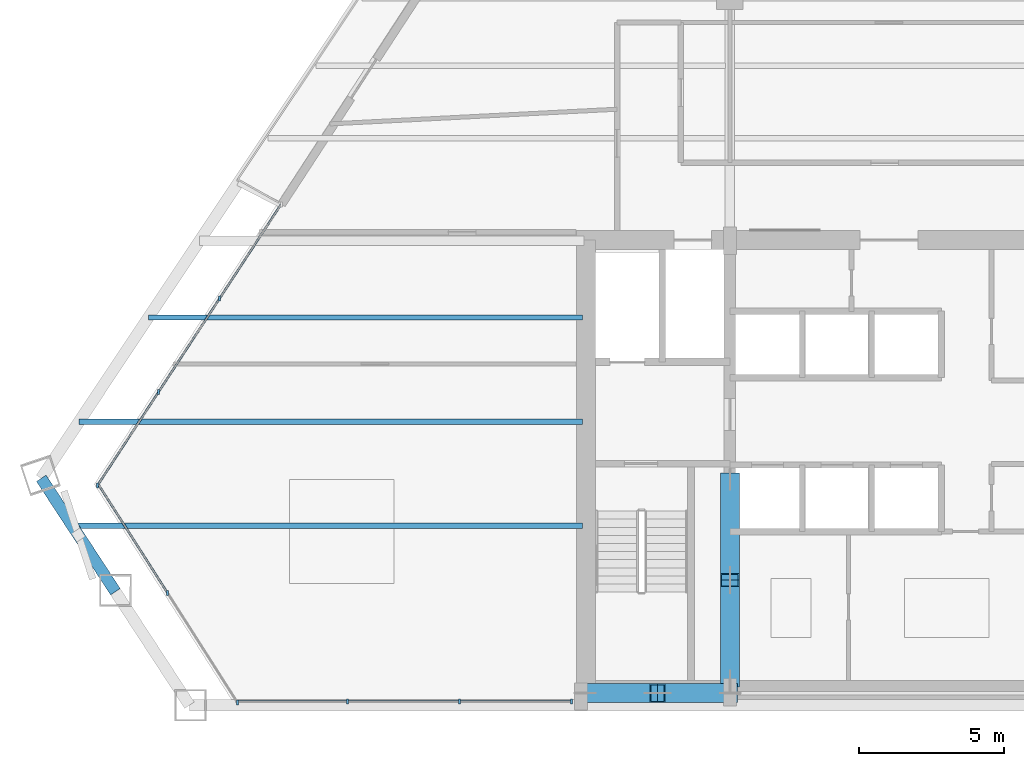
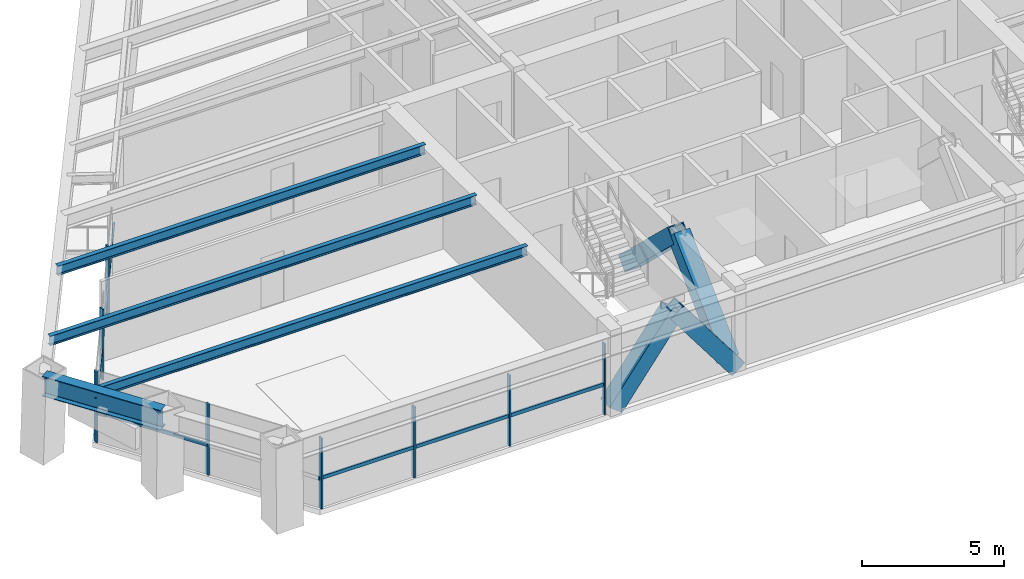
# One storey, part 2 of 15: 19 members, 4 beams, 3 elements without a shape of their own.
"""IFC4 building model written with IfcOpenShell, lengths in metres."""

from ifc_helpers import new_model, si_unit, direction, frame, origin, origin_2d, place, context, subcontext, project, spatial, rectangle, hollow_rectangle, i_section, extrude, source, transform, mapped, material, material_profile, profile_set, type_object, element, aggregate, save


model = new_model("IFC4")

# Units and contexts
model_context = context("Model", 3, precision=1e-05, world=origin(), true_north=direction((0.0, 1.0)))
body_context = subcontext(model_context, "Body", "Model", "MODEL_VIEW")
ifc_project = project(units=[si_unit("LENGTHUNIT", "METRE"), si_unit("AREAUNIT", "SQUARE_METRE"), si_unit("VOLUMEUNIT", "CUBIC_METRE"), si_unit("PLANEANGLEUNIT", "RADIAN"), si_unit("MASSUNIT", "GRAM", prefix="KILO")], contexts=[model_context])

# Site, building, storey
site_placement = place(None, origin())
site = spatial("IfcSite", under=ifc_project, at=site_placement, CompositionType="ELEMENT")
building_placement = place(site_placement, origin())
building = spatial("IfcBuilding", under=site, at=building_placement, Name="Varnakhor Terracotta Tower", CompositionType="ELEMENT")
storey_placement = place(building_placement, frame((0.0, 0.0, 136.699951171875)))
storey = spatial("IfcBuildingStorey", under=building, at=storey_placement, Name="L34", CompositionType="ELEMENT", Elevation=136.699951171875)

# Members
ifc_material_1 = material(Name="Steel S460", Category="steel")
ifc_material_profile_1 = material_profile(ifc_material_1, hollow_rectangle(XDim=0.64990234375, YDim=0.64990234375, WallThickness=0.0400390625, at=origin_2d()), Name="HSS650X650X40")
ifc_profile_set_1 = profile_set([ifc_material_profile_1], Name="Steel S460")
member_type_1 = type_object("IfcMemberType", Name="MBR-MEGA-650", PredefinedType="BRACE", material=ifc_profile_set_1)
shared_shape_1 = source(origin(), body_context, "Body", "SweptSolid", [
    extrude(hollow_rectangle(XDim=0.64990234375, YDim=0.64990234375, WallThickness=0.0400390625, at=origin_2d()), origin(), (0.0, 0.0, 1.0), 4.805908203125),
])
member_1_placement = place(storey_placement, frame((-5.5, 0.85009765625, 0.0), z_axis=(0.0, 0.723026776832, 0.69082000549), x_axis=(-1.0, 0.0, 0.0)))
element("IfcMember", 1, at=member_1_placement, inside=storey, type_object=member_type_1, Name="L34 Core Coupled Brace CWWA", PredefinedType="BRACE", context=body_context, shape_type="MappedRepresentation", body=[
    mapped(shared_shape_1, transform((0.0, 0.0, 0.0), scale=1.0)),
])
shared_shape_2 = source(origin(), body_context, "Body", "SweptSolid", [
    extrude(hollow_rectangle(XDim=0.64990234375, YDim=0.64990234375, WallThickness=0.0400390625, at=origin_2d()), origin(), (0.0, 0.0, 1.0), 4.156005859375),
])
for number, where, z_axis, x_axis, name in (
    (2, (-10.5, 0.419921875, 0.0), (0.601530923869, 0.0, 0.798849515009), (0.0, 1.0, 0.0), "L34 Core Coupled Brace CSWA"),
    (3, (-5.5, 0.419921875, 0.0), (-0.601530923869, 0.0, 0.798849515009), (0.0, -1.0, 0.0), "L34 Core Coupled Brace CSWB"),
):
    element("IfcMember", number, at=place(storey_placement, frame(where, z_axis=z_axis, x_axis=x_axis)), inside=storey, type_object=member_type_1, Name=name, PredefinedType="BRACE", context=body_context, shape_type="MappedRepresentation", body=[
        mapped(shared_shape_2, transform((0.0, 0.0, 0.0), scale=1.0)),
    ])
shared_shape_3 = source(origin(), body_context, "Body", "SweptSolid", [
    extrude(hollow_rectangle(XDim=0.64990234375, YDim=0.64990234375, WallThickness=0.0400390625, at=origin_2d()), origin(), (0.0, 0.0, 1.0), 4.80615234375),
])
member_2_placement = place(storey_placement, frame((-5.5, 7.800048828125, 0.0), z_axis=(0.0, -0.723051018573, 0.690794632681), x_axis=(1.0, 0.0, 0.0)))
element("IfcMember", 4, at=member_2_placement, inside=storey, type_object=member_type_1, Name="L34 Core Coupled Brace CWWB", PredefinedType="BRACE", context=body_context, shape_type="MappedRepresentation", body=[
    mapped(shared_shape_3, transform((0.0, 0.0, 0.0), scale=1.0)),
])

# Beams
ifc_material_2 = material(Name="Steel S355", Category="steel")
ifc_material_profile_2 = material_profile(ifc_material_2, i_section(OverallWidth=0.39990234375, OverallDepth=0.85498046875, WebThickness=0.01806640625, FlangeThickness=0.029052734375, FilletRadius=0.01806640625, at=origin_2d()), Name="W33X201")
ifc_profile_set_2 = profile_set([ifc_material_profile_2], Name="Steel S355")
beam_type_1 = type_object("IfcBeamType", Name="BM-W33X201", PredefinedType="BEAM", material=ifc_profile_set_2)
shared_shape_4 = source(origin(), body_context, "Body", "SweptSolid", [
    extrude(i_section(OverallWidth=0.39990234375, OverallDepth=0.85498046875, WebThickness=0.01806640625, FlangeThickness=0.029052734375, FilletRadius=0.01806640625, at=origin_2d()), origin(), (0.0, 0.0, 1.0), 4.683349609375),
])
beam_1_placement = place(storey_placement, frame((-29.302734375, 7.84228515625, 3.04248046875), z_axis=(0.546795613184, -0.837266121017, 0.0), x_axis=(0.837266121017, 0.546795613184, 0.0)))
element("IfcBeam", 5, at=beam_1_placement, inside=storey, type_object=beam_type_1, Name="L34 Perimeter Spandrel 7", PredefinedType="BEAM", context=body_context, shape_type="MappedRepresentation", body=[
    mapped(shared_shape_4, transform((0.0, 0.0, 0.0), scale=1.0)),
])
ifc_material_profile_3 = material_profile(ifc_material_2, i_section(OverallWidth=0.179931640625, OverallDepth=0.4130859375, WebThickness=0.009765625, FlangeThickness=0.01611328125, FilletRadius=0.01806640625, at=origin_2d()), Name="W16X50")
ifc_profile_set_3 = profile_set([ifc_material_profile_3], Name="Steel S355")
beam_type_2 = type_object("IfcBeamType", Name="JST-W16X50", PredefinedType="JOIST", material=ifc_profile_set_3)
shared_shape_5 = source(origin(), body_context, "Body", "SweptSolid", [
    extrude(i_section(OverallWidth=0.179931640625, OverallDepth=0.4130859375, WebThickness=0.009765625, FlangeThickness=0.01611328125, FilletRadius=0.01806640625, at=origin_2d()), origin(), (0.0, 0.0, 1.0), 17.630126953125),
])
beam_2_placement = place(storey_placement, frame((-28.230224609375, 6.199951171875, 3.263427734375), z_axis=(1.0, 0.0, 0.0), x_axis=(0.0, 1.0, 0.0)))
element("IfcBeam", 6, at=beam_2_placement, inside=storey, type_object=beam_type_2, Name="L34 Floor Joist W1", PredefinedType="JOIST", context=body_context, shape_type="MappedRepresentation", body=[
    mapped(shared_shape_5, transform((0.0, 0.0, 0.0), scale=1.0)),
])
shared_shape_6 = source(origin(), body_context, "Body", "SweptSolid", [
    extrude(i_section(OverallWidth=0.179931640625, OverallDepth=0.4130859375, WebThickness=0.009765625, FlangeThickness=0.01611328125, FilletRadius=0.01806640625, at=origin_2d()), origin(), (0.0, 0.0, 1.0), 17.39892578125),
])
beam_3_placement = place(storey_placement, frame((-27.9990234375, 9.800048828125, 3.263427734375), z_axis=(1.0, 0.0, 0.0), x_axis=(0.0, 1.0, 0.0)))
element("IfcBeam", 7, at=beam_3_placement, inside=storey, type_object=beam_type_2, Name="L34 Floor Joist W2", PredefinedType="JOIST", context=body_context, shape_type="MappedRepresentation", body=[
    mapped(shared_shape_6, transform((0.0, 0.0, 0.0), scale=1.0)),
])
shared_shape_7 = source(origin(), body_context, "Body", "SweptSolid", [
    extrude(i_section(OverallWidth=0.179931640625, OverallDepth=0.4130859375, WebThickness=0.009765625, FlangeThickness=0.01611328125, FilletRadius=0.01806640625, at=origin_2d()), origin(), (0.0, 0.0, 1.0), 15.00146484375),
])
beam_4_placement = place(storey_placement, frame((-25.6015625, 13.39990234375, 3.263427734375), z_axis=(1.0, 0.0, 0.0), x_axis=(0.0, 1.0, 0.0)))
element("IfcBeam", 8, at=beam_4_placement, inside=storey, type_object=beam_type_2, Name="L34 Floor Joist W3", PredefinedType="JOIST", context=body_context, shape_type="MappedRepresentation", body=[
    mapped(shared_shape_7, transform((0.0, 0.0, 0.0), scale=1.0)),
])

# Curtain wall, members
ifc_material_3 = material(Name="Anodised Aluminium Curtain Wall System", Category="aluminium")
curtain_wall_type = type_object("IfcCurtainWallType", Name="CW-SYS-MID-OFFICE", PredefinedType="NOTDEFINED", material=ifc_material_3)
curtain_wall_1_placement = place(storey_placement, origin())
curtain_wall_1 = element("IfcCurtainWall", 9, at=curtain_wall_1_placement, inside=storey, type_object=curtain_wall_type, Name="L34 W Facet Curtain Wall 1", PredefinedType="NOTDEFINED")
ifc_material_4 = material(Name="Anodised Aluminium 6063-T6", Category="aluminium")
ifc_material_profile_4 = material_profile(ifc_material_4, rectangle(XDim=0.070068359375, YDim=0.175048828125, at=origin_2d()), Name="ALU MULLION 70x175")
ifc_profile_set_4 = profile_set([ifc_material_profile_4], Name="Anodised Aluminium 6063-T6")
member_type_2 = type_object("IfcMemberType", Name="CWM-03", PredefinedType="MULLION", material=ifc_profile_set_4)
shared_shape_8 = source(origin(), body_context, "Body", "SweptSolid", [
    extrude(rectangle(XDim=0.070068359375, YDim=0.175048828125, at=origin_2d()), origin(), (0.0, 0.0, 1.0), 3.050048828125),
])
member_3_placement = place(storey_placement, frame((-27.360107421875, 7.59521484375, 0.0), z_axis=(0.0, 0.0, 1.0), x_axis=(1.0, 0.0, 0.0)))
member_3 = element("IfcMember", 10, at=member_3_placement, type_object=member_type_2, Name="L34 W Facet Curtain Wall 1 Mullion 1", PredefinedType="MULLION", context=body_context, shape_type="MappedRepresentation", body=[
    mapped(shared_shape_8, transform((0.0, 0.0, 0.0), scale=1.0)),
])
member_4_placement = place(storey_placement, frame((-25.24951171875, 10.827880859375, 0.0), z_axis=(0.0, 0.0, 1.0), x_axis=(1.0, 0.0, 0.0)))
member_4 = element("IfcMember", 11, at=member_4_placement, type_object=member_type_2, Name="L34 W Facet Curtain Wall 1 Mullion 2", PredefinedType="MULLION", context=body_context, shape_type="MappedRepresentation", body=[
    mapped(shared_shape_8, transform((0.0, 0.0, 0.0), scale=1.0)),
])
member_5_placement = place(storey_placement, frame((-23.138916015625, 14.060791015625, 0.0), z_axis=(0.0, 0.0, 1.0), x_axis=(1.0, 0.0, 0.0)))
member_5 = element("IfcMember", 12, at=member_5_placement, type_object=member_type_2, Name="L34 W Facet Curtain Wall 1 Mullion 3", PredefinedType="MULLION", context=body_context, shape_type="MappedRepresentation", body=[
    mapped(shared_shape_8, transform((0.0, 0.0, 0.0), scale=1.0)),
])

curtain_wall_2_placement = place(storey_placement, origin())
curtain_wall_2 = element("IfcCurtainWall", 13, at=curtain_wall_2_placement, inside=storey, type_object=curtain_wall_type, Name="L34 South Wing Curtain Wall SSW", PredefinedType="NOTDEFINED")
member_6_placement = place(storey_placement, frame((-10.969970703125, 0.1201171875, 0.0), z_axis=(0.0, 0.0, 1.0), x_axis=(1.0, 0.0, 0.0)))
member_6 = element("IfcMember", 14, at=member_6_placement, type_object=member_type_2, Name="L34 South Wing Curtain Wall SSW Mullion 1", PredefinedType="MULLION", context=body_context, shape_type="MappedRepresentation", body=[
    mapped(shared_shape_8, transform((0.0, 0.0, 0.0), scale=1.0)),
])
member_7_placement = place(storey_placement, frame((-14.845947265625, 0.1201171875, 0.0), z_axis=(0.0, 0.0, 1.0), x_axis=(1.0, 0.0, 0.0)))
member_7 = element("IfcMember", 15, at=member_7_placement, type_object=member_type_2, Name="L34 South Wing Curtain Wall SSW Mullion 2", PredefinedType="MULLION", context=body_context, shape_type="MappedRepresentation", body=[
    mapped(shared_shape_8, transform((0.0, 0.0, 0.0), scale=1.0)),
])
member_8_placement = place(storey_placement, frame((-18.721923828125, 0.1201171875, 0.0), z_axis=(0.0, 0.0, 1.0), x_axis=(1.0, 0.0, 0.0)))
member_8 = element("IfcMember", 16, at=member_8_placement, type_object=member_type_2, Name="L34 South Wing Curtain Wall SSW Mullion 3", PredefinedType="MULLION", context=body_context, shape_type="MappedRepresentation", body=[
    mapped(shared_shape_8, transform((0.0, 0.0, 0.0), scale=1.0)),
])

curtain_wall_3_placement = place(storey_placement, origin())
curtain_wall_3 = element("IfcCurtainWall", 17, at=curtain_wall_3_placement, inside=storey, type_object=curtain_wall_type, Name="L34 Facet Curtain Wall 6", PredefinedType="NOTDEFINED")
member_9_placement = place(storey_placement, frame((-22.52294921875, 0.08984375, 0.0), z_axis=(0.0, 0.0, 1.0), x_axis=(1.0, 0.0, 0.0)))
member_9 = element("IfcMember", 18, at=member_9_placement, type_object=member_type_2, Name="L34 Facet Curtain Wall 6 Mullion 1", PredefinedType="MULLION", context=body_context, shape_type="MappedRepresentation", body=[
    mapped(shared_shape_8, transform((0.0, 0.0, 0.0), scale=1.0)),
])
member_10_placement = place(storey_placement, frame((-24.94140625, 3.88232421875, 0.0), z_axis=(0.0, 0.0, 1.0), x_axis=(1.0, 0.0, 0.0)))
member_10 = element("IfcMember", 19, at=member_10_placement, type_object=member_type_2, Name="L34 Facet Curtain Wall 6 Mullion 2", PredefinedType="MULLION", context=body_context, shape_type="MappedRepresentation", body=[
    mapped(shared_shape_8, transform((0.0, 0.0, 0.0), scale=1.0)),
])

# Member
ifc_material_profile_5 = material_profile(ifc_material_4, rectangle(XDim=0.070068359375, YDim=0.155029296875, at=origin_2d()), Name="ALU TRANSOM 70x155")
ifc_profile_set_5 = profile_set([ifc_material_profile_5], Name="Anodised Aluminium 6063-T6")
member_type_3 = type_object("IfcMemberType", Name="CWT-03", PredefinedType="USERDEFINED", material=ifc_profile_set_5)
shared_shape_9 = source(origin(), body_context, "Body", "SweptSolid", [
    extrude(rectangle(XDim=0.070068359375, YDim=0.155029296875, at=origin_2d()), origin(), (0.0, 0.0, 1.0), 3.860595703125),
])
member_11_placement = place(storey_placement, frame((-27.360107421875, 7.59521484375, 1.281005859375), z_axis=(0.546692092443, 0.837333718454, 0.0), x_axis=(-0.837333718454, 0.546692092443, 0.0)))
member_11 = element("IfcMember", 20, at=member_11_placement, type_object=member_type_3, Name="L34 W Facet Curtain Wall 1 Transom 1", ObjectType="TRANSOM", PredefinedType="USERDEFINED", context=body_context, shape_type="MappedRepresentation", body=[
    mapped(shared_shape_9, transform((0.0, 0.0, 0.0), scale=1.0)),
])

member_12_placement = place(storey_placement, frame((-23.138916015625, 14.060791015625, 1.281005859375), z_axis=(0.546692092443, 0.837333718454, 0.0), x_axis=(-0.837333718454, 0.546692092443, 0.0)))
member_12 = element("IfcMember", 21, at=member_12_placement, type_object=member_type_3, Name="L34 W Facet Curtain Wall 1 Transom 3", ObjectType="TRANSOM", PredefinedType="USERDEFINED", context=body_context, shape_type="MappedRepresentation", body=[
    mapped(shared_shape_9, transform((0.0, 0.0, 0.0), scale=1.0)),
])

shared_shape_10 = source(origin(), body_context, "Body", "SweptSolid", [
    extrude(rectangle(XDim=0.070068359375, YDim=0.155029296875, at=origin_2d()), origin(), (0.0, 0.0, 1.0), 3.86083984375),
])
member_13_placement = place(storey_placement, frame((-25.24951171875, 10.827880859375, 1.281005859375), z_axis=(0.546663145609, 0.837352617022, 0.0), x_axis=(-0.837352617022, 0.546663145609, 0.0)))
member_13 = element("IfcMember", 22, at=member_13_placement, type_object=member_type_3, Name="L34 W Facet Curtain Wall 1 Transom 2", ObjectType="TRANSOM", PredefinedType="USERDEFINED", context=body_context, shape_type="MappedRepresentation", body=[
    mapped(shared_shape_10, transform((0.0, 0.0, 0.0), scale=1.0)),
])

aggregate(curtain_wall_1, [member_3, member_11, member_4, member_13, member_5, member_12])

shared_shape_11 = source(origin(), body_context, "Body", "SweptSolid", [
    extrude(rectangle(XDim=0.070068359375, YDim=0.155029296875, at=origin_2d()), origin(), (0.0, 0.0, 1.0), 3.8759765625),
])
member_14_placement = place(storey_placement, frame((-10.969970703125, 0.1201171875, 1.281005859375), z_axis=(-1.0, 0.0, 0.0), x_axis=(0.0, -1.0, 0.0)))
member_14 = element("IfcMember", 23, at=member_14_placement, type_object=member_type_3, Name="L34 South Wing Curtain Wall SSW Transom 1", ObjectType="TRANSOM", PredefinedType="USERDEFINED", context=body_context, shape_type="MappedRepresentation", body=[
    mapped(shared_shape_11, transform((0.0, 0.0, 0.0), scale=1.0)),
])

member_15_placement = place(storey_placement, frame((-14.845947265625, 0.1201171875, 1.281005859375), z_axis=(-1.0, 0.0, 0.0), x_axis=(0.0, -1.0, 0.0)))
member_15 = element("IfcMember", 24, at=member_15_placement, type_object=member_type_3, Name="L34 South Wing Curtain Wall SSW Transom 2", ObjectType="TRANSOM", PredefinedType="USERDEFINED", context=body_context, shape_type="MappedRepresentation", body=[
    mapped(shared_shape_11, transform((0.0, 0.0, 0.0), scale=1.0)),
])

member_16_placement = place(storey_placement, frame((-18.721923828125, 0.1201171875, 1.281005859375), z_axis=(-1.0, 0.0, 0.0), x_axis=(0.0, -1.0, 0.0)))
member_16 = element("IfcMember", 25, at=member_16_placement, type_object=member_type_3, Name="L34 South Wing Curtain Wall SSW Transom 3", ObjectType="TRANSOM", PredefinedType="USERDEFINED", context=body_context, shape_type="MappedRepresentation", body=[
    mapped(shared_shape_11, transform((0.0, 0.0, 0.0), scale=1.0)),
])

aggregate(curtain_wall_2, [member_6, member_14, member_7, member_15, member_8, member_16])

shared_shape_12 = source(origin(), body_context, "Body", "SweptSolid", [
    extrude(rectangle(XDim=0.070068359375, YDim=0.155029296875, at=origin_2d()), origin(), (0.0, 0.0, 1.0), 4.497802734375),
])
member_17_placement = place(storey_placement, frame((-24.94140625, 3.88232421875, 1.281005859375), z_axis=(-0.537637419704, 0.843176141108, 0.0), x_axis=(-0.843176141108, -0.537637419704, 0.0)))
member_17 = element("IfcMember", 26, at=member_17_placement, type_object=member_type_3, Name="L34 Facet Curtain Wall 6 Transom 2", ObjectType="TRANSOM", PredefinedType="USERDEFINED", context=body_context, shape_type="MappedRepresentation", body=[
    mapped(shared_shape_12, transform((0.0, 0.0, 0.0), scale=1.0)),
])

aggregate(curtain_wall_3, [member_9, member_10, member_17])

save(model, "model.ifc")
